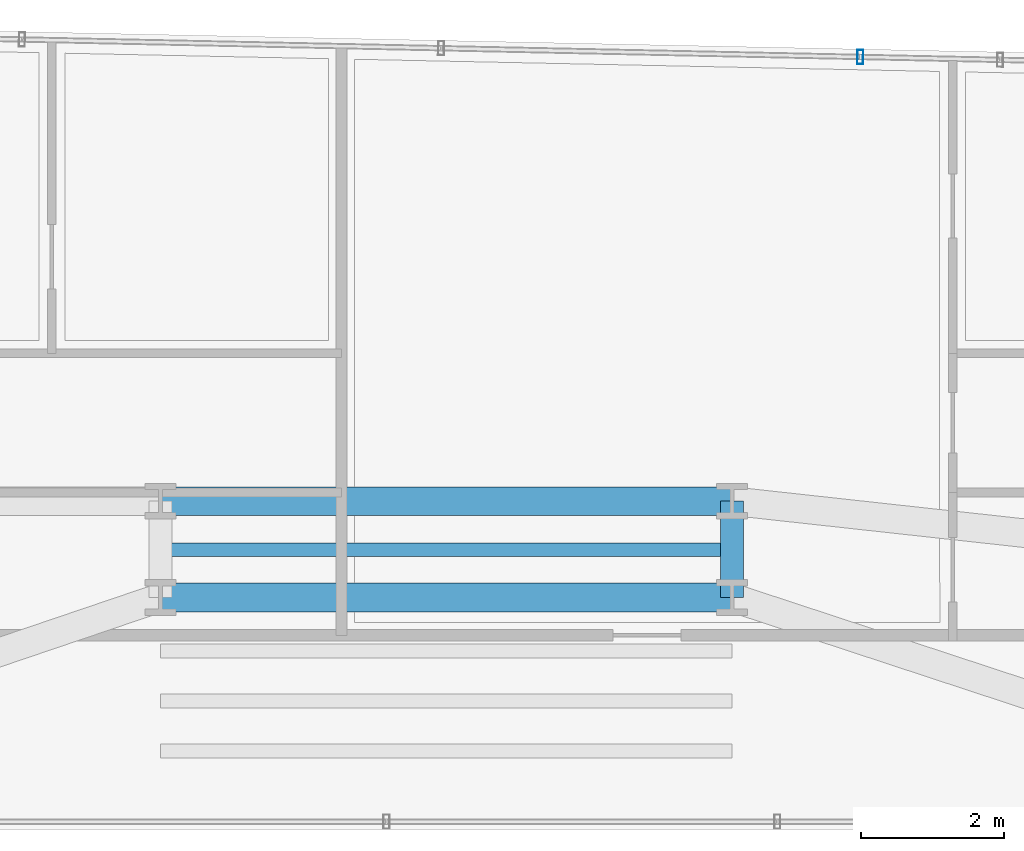
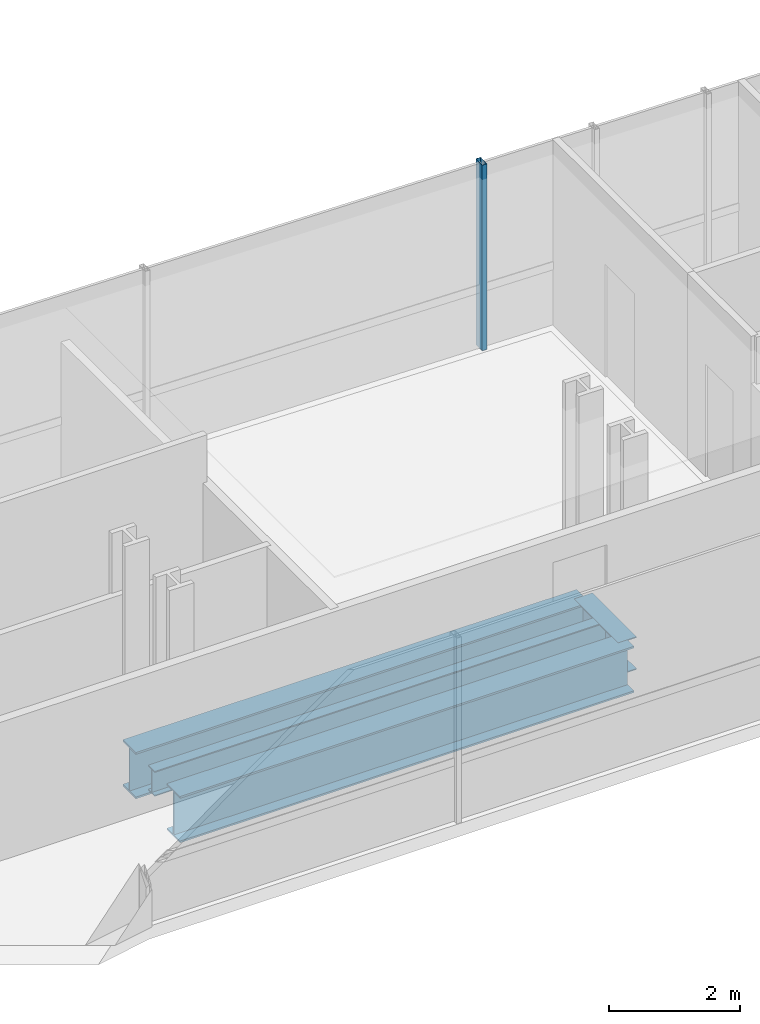
# One storey, part 20 of 40: 4 beams, 1 member, 1 element without a shape of its own.
"""IFC4 building model written with IfcOpenShell, lengths in metres."""

from ifc_helpers import new_model, si_unit, direction, frame, origin, origin_2d, place, context, subcontext, project, spatial, hollow_rectangle, i_section, extrude, source, transform, mapped, material, material_profile, profile_set, type_object, element, aggregate, save


model = new_model("IFC4")

# Units and contexts
model_context = context("Model", 3, precision=1e-05, world=origin(), true_north=direction((0.0, 1.0)))
body_context = subcontext(model_context, "Body", "Model", "MODEL_VIEW")
ifc_project = project(units=[si_unit("LENGTHUNIT", "METRE"), si_unit("AREAUNIT", "SQUARE_METRE"), si_unit("VOLUMEUNIT", "CUBIC_METRE"), si_unit("PLANEANGLEUNIT", "RADIAN"), si_unit("MASSUNIT", "GRAM", prefix="KILO")], contexts=[model_context])

# Site, building, storey
site_placement = place(None, origin())
site = spatial("IfcSite", under=ifc_project, at=site_placement, CompositionType="ELEMENT")
building_placement = place(site_placement, origin())
building = spatial("IfcBuilding", under=site, at=building_placement, Name="Valdorenza Pilgrim Sanctuary Tower", CompositionType="ELEMENT")
storey_placement = place(building_placement, frame((0.0, 0.0, 44.5)))
storey = spatial("IfcBuildingStorey", under=building, at=storey_placement, Name="L10", CompositionType="ELEMENT", Elevation=44.5)

# Beams
ifc_material_1 = material(Name="Steel ASTM A992 Grade 50", Category="steel")
ifc_material_profile_1 = material_profile(ifc_material_1, i_section(OverallWidth=0.39990234375, OverallDepth=0.862060546875, WebThickness=0.019775390625, FlangeThickness=0.032470703125, at=origin_2d()), Name="W33X221")
ifc_profile_set_1 = profile_set([ifc_material_profile_1], Name="Steel ASTM A992 Grade 50")
beam_type_1 = type_object("IfcBeamType", Name="STR-BM-GRD-W33", PredefinedType="BEAM", material=ifc_profile_set_1)
shared_shape_1 = source(origin(), body_context, "Body", "SweptSolid", [
    extrude(i_section(OverallWidth=0.39990234375, OverallDepth=0.862060546875, WebThickness=0.019775390625, FlangeThickness=0.032470703125, at=origin_2d()), origin(), (0.0, 0.0, 1.0), 8.0),
])
for number, where, z_axis, x_axis, name in (
    (1, (-4.0, 13.449951171875, -0.6708984375), (1.0, 0.0, 0.0), (0.0, 1.0, 0.0), "L10 Floor Girder KNK-G2"),
    (2, (-4.0, 14.800048828125, -0.6708984375), (1.0, 0.0, 0.0), (0.0, 1.0, 0.0), "L10 Floor Girder KNK-G5"),
):
    element("IfcBeam", number, at=place(storey_placement, frame(where, z_axis=z_axis, x_axis=x_axis)), inside=storey, type_object=beam_type_1, Name=name, PredefinedType="BEAM", context=body_context, shape_type="MappedRepresentation", body=[
        mapped(shared_shape_1, transform((0.0, 0.0, 0.0), x_axis=(1.0, 0.0, 0.0), y_axis=(0.0, 1.0, 0.0), z_axis=(0.0, 0.0, 1.0), scale=1.0)),
    ])
ifc_material_profile_2 = material_profile(ifc_material_1, i_section(OverallWidth=0.323974609375, OverallDepth=0.611083984375, WebThickness=0.0126953125, FlangeThickness=0.01904296875, at=origin_2d()), Name="W24X104")
ifc_profile_set_2 = profile_set([ifc_material_profile_2], Name="Steel ASTM A992 Grade 50")
beam_type_2 = type_object("IfcBeamType", Name="STR-BM-GRD-W24B", PredefinedType="BEAM", material=ifc_profile_set_2)
shared_shape_2 = source(origin(), body_context, "Body", "SweptSolid", [
    extrude(i_section(OverallWidth=0.323974609375, OverallDepth=0.611083984375, WebThickness=0.0126953125, FlangeThickness=0.01904296875, at=origin_2d()), origin(), (0.0, 0.0, 1.0), 1.35009765625),
])
beam_1_placement = place(storey_placement, frame((4.0, 13.449951171875, -0.54541015625), z_axis=(0.0, 1.0, 0.0), x_axis=(-1.0, 0.0, 0.0)))
element("IfcBeam", 3, at=beam_1_placement, inside=storey, type_object=beam_type_2, Name="L10 Floor Girder KNK-TIE-E", PredefinedType="BEAM", context=body_context, shape_type="MappedRepresentation", body=[
    mapped(shared_shape_2, transform((0.0, 0.0, 0.0), x_axis=(1.0, 0.0, 0.0), y_axis=(0.0, 1.0, 0.0), z_axis=(0.0, 0.0, 1.0), scale=1.0)),
])
ifc_material_profile_3 = material_profile(ifc_material_1, i_section(OverallWidth=0.193115234375, OverallDepth=0.466064453125, WebThickness=0.011474609375, FlangeThickness=0.01904296875, at=origin_2d()), Name="W18X65")
ifc_profile_set_3 = profile_set([ifc_material_profile_3], Name="Steel ASTM A992 Grade 50")
beam_type_3 = type_object("IfcBeamType", Name="STR-BM-JST-W18A", PredefinedType="JOIST", material=ifc_profile_set_3)
shared_shape_3 = source(origin(), body_context, "Body", "SweptSolid", [
    extrude(i_section(OverallWidth=0.193115234375, OverallDepth=0.466064453125, WebThickness=0.011474609375, FlangeThickness=0.01904296875, at=origin_2d()), origin(), (0.0, 0.0, 1.0), 8.0),
])
beam_2_placement = place(storey_placement, frame((-4.0, 14.1201171875, -0.472900390625), z_axis=(1.0, 0.0, 0.0), x_axis=(0.0, 1.0, 0.0)))
element("IfcBeam", 4, at=beam_2_placement, inside=storey, type_object=beam_type_3, Name="L10 Knuckle Composite Joist JST-KNK-4", PredefinedType="JOIST", context=body_context, shape_type="MappedRepresentation", body=[
    mapped(shared_shape_3, transform((0.0, 0.0, 0.0), x_axis=(1.0, 0.0, 0.0), y_axis=(0.0, 1.0, 0.0), z_axis=(0.0, 0.0, 1.0), scale=1.0)),
])

# Curtain wall, member
ifc_material_2 = material(Name="Curtain-wall IGU glazing", Category="glass")
curtain_wall_type = type_object("IfcCurtainWallType", Name="CW-SYS-02", PredefinedType="NOTDEFINED", material=ifc_material_2)
curtain_wall_placement = place(storey_placement, origin())
curtain_wall = element("IfcCurtainWall", 5, at=curtain_wall_placement, inside=storey, type_object=curtain_wall_type, Name="L10 Curtain Wall CW-L10-1-11", PredefinedType="NOTDEFINED")
ifc_material_3 = material(Name="Anodised aluminium AW-6060", Category="aluminium")
ifc_material_profile_4 = material_profile(ifc_material_3, hollow_rectangle(XDim=0.0849609375, YDim=0.199951171875, WallThickness=0.0048828125, at=origin_2d()), Name="ALU-M 200x85x5")
ifc_profile_set_4 = profile_set([ifc_material_profile_4], Name="Anodised aluminium AW-6060")
member_type = type_object("IfcMemberType", Name="CW-MUL-02", PredefinedType="MULLION", material=ifc_profile_set_4)
shared_shape_4 = source(origin(), body_context, "Body", "SweptSolid", [
    extrude(hollow_rectangle(XDim=0.0849609375, YDim=0.199951171875, WallThickness=0.0048828125, at=origin_2d()), origin(), (0.0, 0.0, 1.0), 3.4599609375),
])
member_placement = place(storey_placement, frame((5.797119140625, 21.019287109375, 0.0), z_axis=(0.0, 0.0, 1.0), x_axis=(0.999783234613, -0.020820273474, 0.0)))
member = element("IfcMember", 6, at=member_placement, type_object=member_type, Name="CW-L10-1-11 Mullion 4", PredefinedType="MULLION", context=body_context, shape_type="MappedRepresentation", body=[
    mapped(shared_shape_4, transform((0.0, 0.0, 0.0), x_axis=(1.0, 0.0, 0.0), y_axis=(0.0, 1.0, 0.0), z_axis=(0.0, 0.0, 1.0), scale=1.0)),
])
aggregate(curtain_wall, [member])

save(model, "model.ifc")
